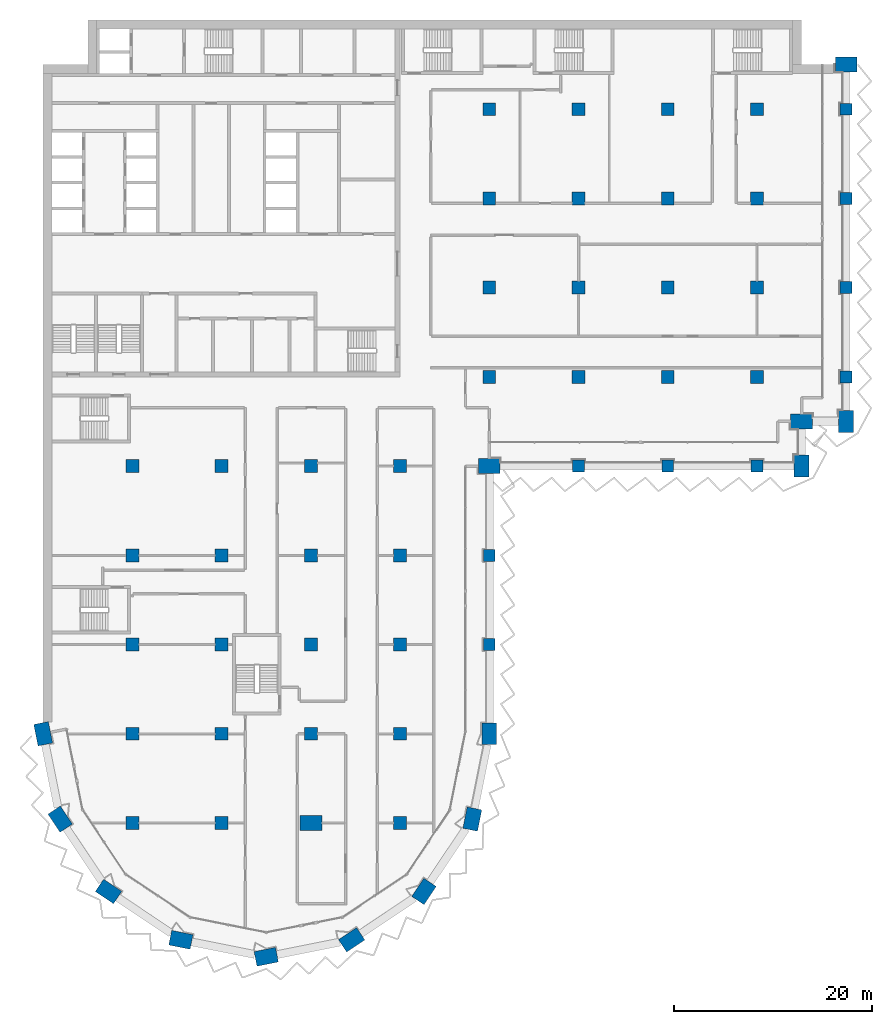
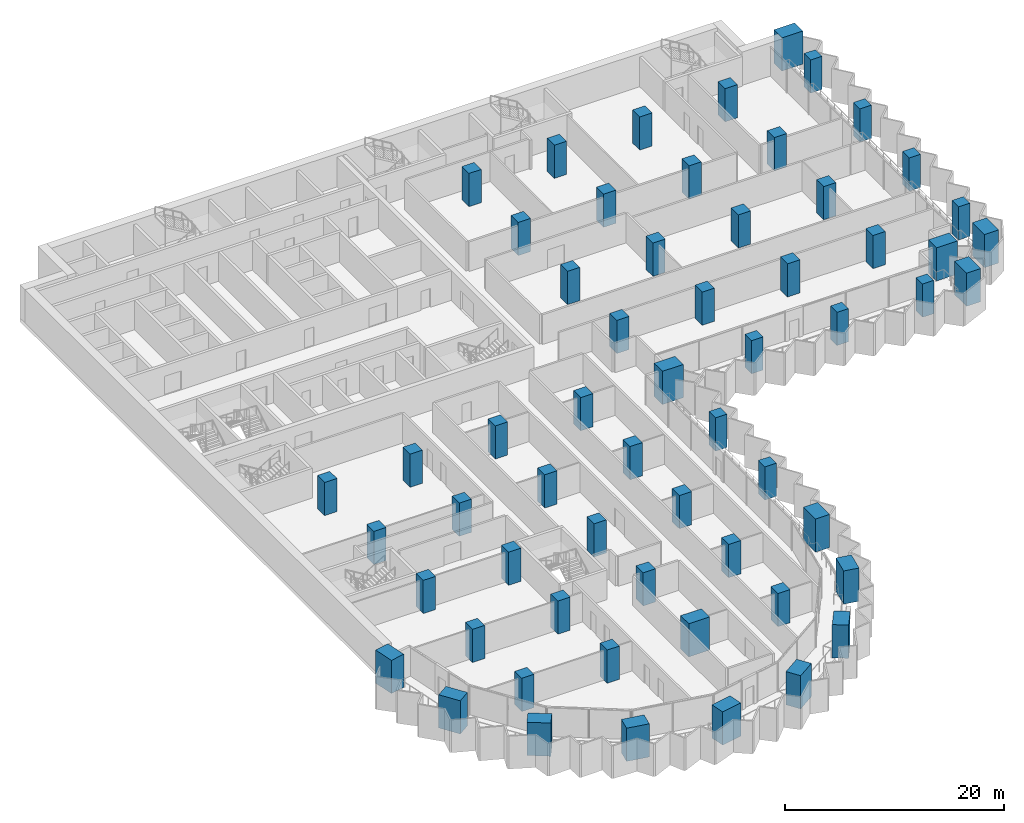
# One storey, part 1 of 23: 59 columns.
"""IFC4 building model written with IfcOpenShell, lengths in metres."""

from ifc_helpers import new_model, si_unit, direction, frame, origin, origin_2d, place, context, subcontext, project, spatial, rectangle, extrude, material, material_profile, profile_set, type_object, element, save


model = new_model("IFC4")

# Units and contexts
model_context = context("Model", 3, precision=1e-05, world=origin(), true_north=direction((0.0, 1.0)))
body_context = subcontext(model_context, "Body", "Model", "MODEL_VIEW")
ifc_project = project(units=[si_unit("LENGTHUNIT", "METRE"), si_unit("AREAUNIT", "SQUARE_METRE"), si_unit("VOLUMEUNIT", "CUBIC_METRE"), si_unit("PLANEANGLEUNIT", "RADIAN"), si_unit("MASSUNIT", "GRAM", prefix="KILO")], contexts=[model_context])

# Site, building, storey
site_placement = place(None, origin())
site = spatial("IfcSite", under=ifc_project, at=site_placement, CompositionType="ELEMENT")
building_placement = place(site_placement, origin())
building = spatial("IfcBuilding", under=site, at=building_placement, Name="Hunhe Ridgeline Campus", CompositionType="ELEMENT")
storey_placement = place(building_placement, frame((0.0, 0.0, 121.800048828125)))
storey = spatial("IfcBuildingStorey", under=building, at=storey_placement, Name="L30", CompositionType="ELEMENT", Elevation=121.800048828125)

# Columns
ifc_material = material(Name="Concrete C70", Category="concrete")
ifc_material_profile_1 = material_profile(ifc_material, rectangle(XDim=2.199951171875, YDim=1.5, at=origin_2d()))
ifc_profile_set_1 = profile_set([ifc_material_profile_1], Name="Concrete C70")
column_type_1 = type_object("IfcColumnType", Name="Megacolumn 2200x1500 Concrete C70", PredefinedType="COLUMN", material=ifc_profile_set_1)
for number, where, z_axis, x_axis, name in (
    (1, (22.5, 4.5, 0.0), (0.0, 0.0, 1.0), (0.980785280403, 0.195090322016, 0.0), "Column C6 R1 L30"),
    (2, (13.8896484375, 6.212646484375, 0.0), (0.0, 0.0, 1.0), (-0.980785280403, 0.195090322016, 0.0), "Column C6 R2 L30"),
    (3, (31.1103515625, 6.212646484375, 0.0), (0.0, 0.0, 1.0), (0.831469612303, 0.55557023302, 0.0), "Column C6 R3 L30"),
    (4, (6.590087890625, 11.090087890625, 0.0), (0.0, 0.0, 1.0), (-0.831469612303, 0.55557023302, 0.0), "Column C6 R4 L30"),
    (5, (38.409912109375, 11.090087890625, 0.0), (0.0, 0.0, 1.0), (0.55557023302, 0.831469612303, 0.0), "Column C6 R5 L30"),
    (6, (1.712646484375, 18.3896484375, 0.0), (0.0, 0.0, 1.0), (-0.55557023302, 0.831469612303, 0.0), "Column C6 R9 L30"),
    (7, (43.287353515625, 18.3896484375, 0.0), (0.0, 0.0, 1.0), (0.195090322016, 0.980785280403, 0.0), "Column C6 R10 L30"),
    (8, (0.0, 27.0, 0.0), (0.0, 0.0, 1.0), (-0.195090322016, 0.980785280403, 0.0), "Column C6 D1 L30"),
    (9, (45.0, 27.0, 0.0), (0.0, 0.0, 1.0), (0.0, 1.0, 0.0), "Column C6 D6 L30"),
    (10, (45.0, 54.0, 0.0), (0.0, 0.0, 1.0), (1.0, 0.0, 0.0), "Column C6 G6 L30"),
    (11, (76.5, 54.0, 0.0), (0.0, 0.0, 1.0), (0.0, 1.0, 0.0), "Column C6 R31 L30"),
    (12, (76.5, 58.5, 0.0), (0.0, 0.0, 1.0), (1.0, 0.0, 0.0), "Column C6 R37 L30"),
    (13, (81.0, 58.5, 0.0), (0.0, 0.0, 1.0), (0.0, 1.0, 0.0), "Column C6 R38 L30"),
    (14, (81.0, 94.5, 0.0), (0.0, 0.0, 1.0), (1.0, 0.0, 0.0), "Column C6 R43 L30"),
    (15, (27.0, 18.0, 0.0), (0.0, 0.0, 1.0), (1.0, 0.0, 0.0), "Column C6 C4 L30"),
):
    element("IfcColumn", number, at=place(storey_placement, frame(where, z_axis=z_axis, x_axis=x_axis)), inside=storey, type_object=column_type_1, Name=name, PredefinedType="COLUMN", context=body_context, shape_type="SweptSolid", body=[
        extrude(rectangle(XDim=2.199951171875, YDim=1.5, at=origin_2d()), origin(), (0.0, 0.0, 1.0), 3.699951171875),
    ])
ifc_material_profile_2 = material_profile(ifc_material, rectangle(XDim=1.199951171875, YDim=1.199951171875, at=origin_2d()))
ifc_profile_set_2 = profile_set([ifc_material_profile_2], Name="Concrete C70")
column_type_2 = type_object("IfcColumnType", Name="RC column 1200x1200 Concrete C70", PredefinedType="COLUMN", material=ifc_profile_set_2)
for number, where, z_axis, x_axis, name in (
    (16, (45.0, 36.0, 0.0), (0.0, 0.0, 1.0), (1.0, 0.0, 0.0), "Column C7 E6 L30"),
    (17, (45.0, 45.0, 0.0), (0.0, 0.0, 1.0), (1.0, 0.0, 0.0), "Column C7 F6 L30"),
    (18, (54.0, 54.0, 0.0), (0.0, 0.0, 1.0), (1.0, 0.0, 0.0), "Column C7 G7 L30"),
    (19, (63.0, 54.0, 0.0), (0.0, 0.0, 1.0), (1.0, 0.0, 0.0), "Column C7 G8 L30"),
    (20, (72.0, 54.0, 0.0), (0.0, 0.0, 1.0), (1.0, 0.0, 0.0), "Column C7 G9 L30"),
    (21, (81.0, 63.0, 0.0), (0.0, 0.0, 1.0), (1.0, 0.0, 0.0), "Column C7 H10 L30"),
    (22, (81.0, 72.0, 0.0), (0.0, 0.0, 1.0), (1.0, 0.0, 0.0), "Column C7 I10 L30"),
    (23, (81.0, 81.0, 0.0), (0.0, 0.0, 1.0), (1.0, 0.0, 0.0), "Column C7 J10 L30"),
    (24, (81.0, 90.0, 0.0), (0.0, 0.0, 1.0), (1.0, 0.0, 0.0), "Column C7 K10 L30"),
):
    element("IfcColumn", number, at=place(storey_placement, frame(where, z_axis=z_axis, x_axis=x_axis)), inside=storey, type_object=column_type_2, Name=name, PredefinedType="COLUMN", context=body_context, shape_type="SweptSolid", body=[
        extrude(rectangle(XDim=1.199951171875, YDim=1.199951171875, at=origin_2d()), origin(), (0.0, 0.0, 1.0), 3.699951171875),
    ])
ifc_material_profile_3 = material_profile(ifc_material, rectangle(XDim=1.300048828125, YDim=1.300048828125, at=origin_2d()))
ifc_profile_set_3 = profile_set([ifc_material_profile_3], Name="Concrete C70")
column_type_3 = type_object("IfcColumnType", Name="RC column 1300x1300 Concrete C70", PredefinedType="COLUMN", material=ifc_profile_set_3)
for number, where, z_axis, x_axis, name in (
    (25, (9.0, 18.0, 0.0), (0.0, 0.0, 1.0), (1.0, 0.0, 0.0), "Column C8 C2 L30"),
    (26, (9.0, 27.0, 0.0), (0.0, 0.0, 1.0), (1.0, 0.0, 0.0), "Column C8 D2 L30"),
    (27, (9.0, 36.0, 0.0), (0.0, 0.0, 1.0), (1.0, 0.0, 0.0), "Column C8 E2 L30"),
    (28, (9.0, 45.0, 0.0), (0.0, 0.0, 1.0), (1.0, 0.0, 0.0), "Column C8 F2 L30"),
    (29, (9.0, 54.0, 0.0), (0.0, 0.0, 1.0), (1.0, 0.0, 0.0), "Column C8 G2 L30"),
    (30, (18.0, 18.0, 0.0), (0.0, 0.0, 1.0), (1.0, 0.0, 0.0), "Column C8 C3 L30"),
    (31, (18.0, 27.0, 0.0), (0.0, 0.0, 1.0), (1.0, 0.0, 0.0), "Column C8 D3 L30"),
    (32, (18.0, 36.0, 0.0), (0.0, 0.0, 1.0), (1.0, 0.0, 0.0), "Column C8 E3 L30"),
    (33, (18.0, 45.0, 0.0), (0.0, 0.0, 1.0), (1.0, 0.0, 0.0), "Column C8 F3 L30"),
    (34, (18.0, 54.0, 0.0), (0.0, 0.0, 1.0), (1.0, 0.0, 0.0), "Column C8 G3 L30"),
    (35, (27.0, 27.0, 0.0), (0.0, 0.0, 1.0), (1.0, 0.0, 0.0), "Column C8 D4 L30"),
    (36, (27.0, 36.0, 0.0), (0.0, 0.0, 1.0), (1.0, 0.0, 0.0), "Column C8 E4 L30"),
    (37, (27.0, 45.0, 0.0), (0.0, 0.0, 1.0), (1.0, 0.0, 0.0), "Column C8 F4 L30"),
    (38, (27.0, 54.0, 0.0), (0.0, 0.0, 1.0), (1.0, 0.0, 0.0), "Column C8 G4 L30"),
    (39, (36.0, 18.0, 0.0), (0.0, 0.0, 1.0), (1.0, 0.0, 0.0), "Column C8 C5 L30"),
    (40, (36.0, 27.0, 0.0), (0.0, 0.0, 1.0), (1.0, 0.0, 0.0), "Column C8 D5 L30"),
    (41, (36.0, 36.0, 0.0), (0.0, 0.0, 1.0), (1.0, 0.0, 0.0), "Column C8 E5 L30"),
    (42, (36.0, 45.0, 0.0), (0.0, 0.0, 1.0), (1.0, 0.0, 0.0), "Column C8 F5 L30"),
    (43, (36.0, 54.0, 0.0), (0.0, 0.0, 1.0), (1.0, 0.0, 0.0), "Column C8 G5 L30"),
    (44, (45.0, 63.0, 0.0), (0.0, 0.0, 1.0), (1.0, 0.0, 0.0), "Column C8 H6 L30"),
    (45, (45.0, 72.0, 0.0), (0.0, 0.0, 1.0), (1.0, 0.0, 0.0), "Column C8 I6 L30"),
    (46, (45.0, 81.0, 0.0), (0.0, 0.0, 1.0), (1.0, 0.0, 0.0), "Column C8 J6 L30"),
    (47, (45.0, 90.0, 0.0), (0.0, 0.0, 1.0), (1.0, 0.0, 0.0), "Column C8 K6 L30"),
    (48, (54.0, 63.0, 0.0), (0.0, 0.0, 1.0), (1.0, 0.0, 0.0), "Column C8 H7 L30"),
    (49, (54.0, 72.0, 0.0), (0.0, 0.0, 1.0), (1.0, 0.0, 0.0), "Column C8 I7 L30"),
    (50, (54.0, 81.0, 0.0), (0.0, 0.0, 1.0), (1.0, 0.0, 0.0), "Column C8 J7 L30"),
    (51, (54.0, 90.0, 0.0), (0.0, 0.0, 1.0), (1.0, 0.0, 0.0), "Column C8 K7 L30"),
    (52, (63.0, 63.0, 0.0), (0.0, 0.0, 1.0), (1.0, 0.0, 0.0), "Column C8 H8 L30"),
    (53, (63.0, 72.0, 0.0), (0.0, 0.0, 1.0), (1.0, 0.0, 0.0), "Column C8 I8 L30"),
    (54, (63.0, 81.0, 0.0), (0.0, 0.0, 1.0), (1.0, 0.0, 0.0), "Column C8 J8 L30"),
    (55, (63.0, 90.0, 0.0), (0.0, 0.0, 1.0), (1.0, 0.0, 0.0), "Column C8 K8 L30"),
    (56, (72.0, 63.0, 0.0), (0.0, 0.0, 1.0), (1.0, 0.0, 0.0), "Column C8 H9 L30"),
    (57, (72.0, 72.0, 0.0), (0.0, 0.0, 1.0), (1.0, 0.0, 0.0), "Column C8 I9 L30"),
    (58, (72.0, 81.0, 0.0), (0.0, 0.0, 1.0), (1.0, 0.0, 0.0), "Column C8 J9 L30"),
    (59, (72.0, 90.0, 0.0), (0.0, 0.0, 1.0), (1.0, 0.0, 0.0), "Column C8 K9 L30"),
):
    element("IfcColumn", number, at=place(storey_placement, frame(where, z_axis=z_axis, x_axis=x_axis)), inside=storey, type_object=column_type_3, Name=name, PredefinedType="COLUMN", context=body_context, shape_type="SweptSolid", body=[
        extrude(rectangle(XDim=1.300048828125, YDim=1.300048828125, at=origin_2d()), origin(), (0.0, 0.0, 1.0), 3.699951171875),
    ])

save(model, "model.ifc")
